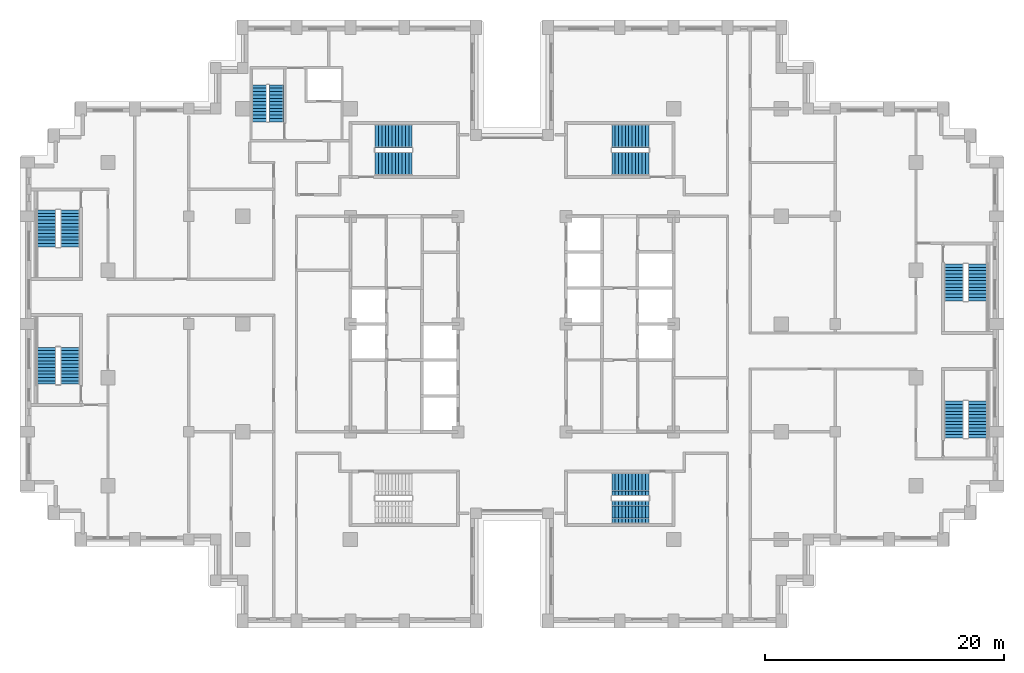
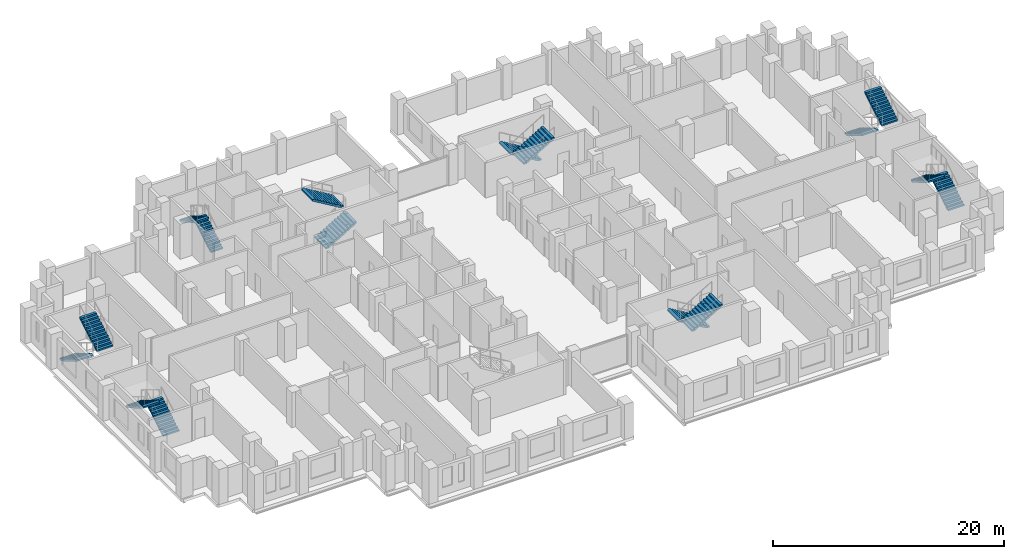
# One storey, part 13 of 15: 16 stair flights, 8 elements without a shape of their own.
"""IFC4 building model written with IfcOpenShell, lengths in metres."""

from ifc_helpers import new_model, si_unit, direction, frame, origin, place, context, subcontext, project, spatial, polyline, outline, extrude, material, type_object, element, aggregate, save


model = new_model("IFC4")

# Units and contexts
model_context = context("Model", 3, precision=1e-05, world=origin(), true_north=direction((0.0, 1.0)))
body_context = subcontext(model_context, "Body", "Model", "MODEL_VIEW")
ifc_project = project(units=[si_unit("LENGTHUNIT", "METRE"), si_unit("AREAUNIT", "SQUARE_METRE"), si_unit("VOLUMEUNIT", "CUBIC_METRE"), si_unit("PLANEANGLEUNIT", "RADIAN"), si_unit("MASSUNIT", "GRAM", prefix="KILO")], contexts=[model_context])

# Site, building, storey
site_placement = place(None, origin())
site = spatial("IfcSite", under=ifc_project, at=site_placement, CompositionType="ELEMENT")
building_placement = place(site_placement, origin())
building = spatial("IfcBuilding", under=site, at=building_placement, Name="Corbelhall Arena Tower", CompositionType="ELEMENT")
storey_placement = place(building_placement, frame((0.0, 0.0, 96.0)))
storey = spatial("IfcBuildingStorey", under=building, at=storey_placement, Name="L16", CompositionType="ELEMENT", Elevation=96.0)

# Stair, stair flights
ifc_material = material(Name="Concrete C40/50", Category="concrete")
stair_type = type_object("IfcStairType", Name="IN-ST-TOWER", PredefinedType="HALF_TURN_STAIR", material=ifc_material)
stair_1_placement = place(storey_placement, origin())
stair_1 = element("IfcStair", 1, at=stair_1_placement, inside=storey, type_object=stair_type, Name="L16 Exit stair ST1", PredefinedType="HALF_TURN_STAIR")
stair_flight_type = type_object("IfcStairFlightType", Name="IN-SFL-RC", PredefinedType="STRAIGHT", material=ifc_material)
stair_flight_1_placement = place(storey_placement, frame((-11.425048828125, 13.39990234375, 0.0), z_axis=(0.0, 0.0, 1.0), x_axis=(1.0, 0.0, 0.0)))
stair_flight_1 = element("IfcStairFlight", 2, at=stair_flight_1_placement, type_object=stair_flight_type, Name="ST1 flight 1", NumberOfRisers=12, NumberOfTreads=11, PredefinedType="STRAIGHT", RiserHeight=0.166666667, TreadLength=0.28, context=body_context, shape_type="SweptSolid", body=[
    extrude(outline(polyline([(0.0, 0.0), (0.0, 0.166748046875), (0.280029296875, 0.166748046875), (0.280029296875, 0.333251953125), (0.56005859375, 0.333251953125), (0.56005859375, 0.5), (0.840087890625, 0.5), (0.840087890625, 0.666748046875), (1.1201171875, 0.666748046875), (1.1201171875, 0.833251953125), (1.39990234375, 0.833251953125), (1.39990234375, 1.0), (1.679931640625, 1.0), (1.679931640625, 1.166748046875), (1.9599609375, 1.166748046875), (1.9599609375, 1.333251953125), (2.239990234375, 1.333251953125), (2.239990234375, 1.5), (2.52001953125, 1.5), (2.52001953125, 1.666748046875), (2.800048828125, 1.666748046875), (2.800048828125, 1.833251953125), (3.080078125, 1.833251953125), (3.080078125, 2.0), (3.080078125, 1.658935546875), (0.29296875, 0.0), (0.0, 0.0)])), frame((0.0, 0.97509765625, 0.0), z_axis=(0.0, -1.0, 0.0), x_axis=(1.0, 0.0, 0.0)), (0.0, 0.0, 1.0), 0.449951171875),
    extrude(outline(polyline([(0.0, 0.0), (0.0, 0.166748046875), (0.280029296875, 0.166748046875), (0.280029296875, 0.333251953125), (0.56005859375, 0.333251953125), (0.56005859375, 0.5), (0.840087890625, 0.5), (0.840087890625, 0.666748046875), (1.1201171875, 0.666748046875), (1.1201171875, 0.833251953125), (1.39990234375, 0.833251953125), (1.39990234375, 1.0), (1.679931640625, 1.0), (1.679931640625, 1.166748046875), (1.9599609375, 1.166748046875), (1.9599609375, 1.333251953125), (2.239990234375, 1.333251953125), (2.239990234375, 1.5), (2.52001953125, 1.5), (2.52001953125, 1.666748046875), (2.800048828125, 1.666748046875), (2.800048828125, 1.833251953125), (3.080078125, 1.833251953125), (3.080078125, 2.0), (3.080078125, 1.658935546875), (0.29296875, 0.0), (0.0, 0.0)])), frame((0.0, 0.52099609375, 0.0), z_axis=(0.0, -1.0, 0.0), x_axis=(1.0, 0.0, 0.0)), (0.0, 0.0, 1.0), 1.0419921875),
    extrude(outline(polyline([(0.0, 0.0), (0.0, 0.166748046875), (0.280029296875, 0.166748046875), (0.280029296875, 0.333251953125), (0.56005859375, 0.333251953125), (0.56005859375, 0.5), (0.840087890625, 0.5), (0.840087890625, 0.666748046875), (1.1201171875, 0.666748046875), (1.1201171875, 0.833251953125), (1.39990234375, 0.833251953125), (1.39990234375, 1.0), (1.679931640625, 1.0), (1.679931640625, 1.166748046875), (1.9599609375, 1.166748046875), (1.9599609375, 1.333251953125), (2.239990234375, 1.333251953125), (2.239990234375, 1.5), (2.52001953125, 1.5), (2.52001953125, 1.666748046875), (2.800048828125, 1.666748046875), (2.800048828125, 1.833251953125), (3.080078125, 1.833251953125), (3.080078125, 2.0), (3.080078125, 1.658935546875), (0.29296875, 0.0), (0.0, 0.0)])), frame((0.0, -0.52490234375, 0.0), z_axis=(0.0, -1.0, 0.0), x_axis=(1.0, 0.0, 0.0)), (0.0, 0.0, 1.0), 0.449951171875),
])
stair_flight_2_placement = place(storey_placement, frame((-8.344970703125, 15.699951171875, 2.0), z_axis=(0.0, 0.0, 1.0), x_axis=(-1.0, 0.0, 0.0)))
stair_flight_2 = element("IfcStairFlight", 3, at=stair_flight_2_placement, type_object=stair_flight_type, Name="ST1 flight 2", NumberOfRisers=12, NumberOfTreads=11, PredefinedType="STRAIGHT", RiserHeight=0.166666667, TreadLength=0.28, context=body_context, shape_type="SweptSolid", body=[
    extrude(outline(polyline([(0.0, 0.0), (0.0, 0.166748046875), (0.280029296875, 0.166748046875), (0.280029296875, 0.333251953125), (0.56005859375, 0.333251953125), (0.56005859375, 0.5), (0.840087890625, 0.5), (0.840087890625, 0.666748046875), (1.1201171875, 0.666748046875), (1.1201171875, 0.833251953125), (1.39990234375, 0.833251953125), (1.39990234375, 1.0), (1.679931640625, 1.0), (1.679931640625, 1.166748046875), (1.9599609375, 1.166748046875), (1.9599609375, 1.333251953125), (2.239990234375, 1.333251953125), (2.239990234375, 1.5), (2.52001953125, 1.5), (2.52001953125, 1.666748046875), (2.800048828125, 1.666748046875), (2.800048828125, 1.833251953125), (3.080078125, 1.833251953125), (3.080078125, 2.0), (3.080078125, 1.658935546875), (0.29296875, 0.0), (0.0, 0.0)])), frame((0.0, 0.97509765625, 0.0), z_axis=(0.0, -1.0, 0.0), x_axis=(1.0, 0.0, 0.0)), (0.0, 0.0, 1.0), 0.449951171875),
    extrude(outline(polyline([(0.0, 0.0), (0.0, 0.166748046875), (0.280029296875, 0.166748046875), (0.280029296875, 0.333251953125), (0.56005859375, 0.333251953125), (0.56005859375, 0.5), (0.840087890625, 0.5), (0.840087890625, 0.666748046875), (1.1201171875, 0.666748046875), (1.1201171875, 0.833251953125), (1.39990234375, 0.833251953125), (1.39990234375, 1.0), (1.679931640625, 1.0), (1.679931640625, 1.166748046875), (1.9599609375, 1.166748046875), (1.9599609375, 1.333251953125), (2.239990234375, 1.333251953125), (2.239990234375, 1.5), (2.52001953125, 1.5), (2.52001953125, 1.666748046875), (2.800048828125, 1.666748046875), (2.800048828125, 1.833251953125), (3.080078125, 1.833251953125), (3.080078125, 2.0), (3.080078125, 1.658935546875), (0.29296875, 0.0), (0.0, 0.0)])), frame((0.0, 0.52099609375, 0.0), z_axis=(0.0, -1.0, 0.0), x_axis=(1.0, 0.0, 0.0)), (0.0, 0.0, 1.0), 1.0419921875),
    extrude(outline(polyline([(0.0, 0.0), (0.0, 0.166748046875), (0.280029296875, 0.166748046875), (0.280029296875, 0.333251953125), (0.56005859375, 0.333251953125), (0.56005859375, 0.5), (0.840087890625, 0.5), (0.840087890625, 0.666748046875), (1.1201171875, 0.666748046875), (1.1201171875, 0.833251953125), (1.39990234375, 0.833251953125), (1.39990234375, 1.0), (1.679931640625, 1.0), (1.679931640625, 1.166748046875), (1.9599609375, 1.166748046875), (1.9599609375, 1.333251953125), (2.239990234375, 1.333251953125), (2.239990234375, 1.5), (2.52001953125, 1.5), (2.52001953125, 1.666748046875), (2.800048828125, 1.666748046875), (2.800048828125, 1.833251953125), (3.080078125, 1.833251953125), (3.080078125, 2.0), (3.080078125, 1.658935546875), (0.29296875, 0.0), (0.0, 0.0)])), frame((0.0, -0.52490234375, 0.0), z_axis=(0.0, -1.0, 0.0), x_axis=(1.0, 0.0, 0.0)), (0.0, 0.0, 1.0), 0.449951171875),
])
aggregate(stair_1, [stair_flight_1, stair_flight_2])

stair_2_placement = place(storey_placement, origin())
stair_2 = element("IfcStair", 4, at=stair_2_placement, inside=storey, type_object=stair_type, Name="L16 Exit stair ST3", PredefinedType="HALF_TURN_STAIR")
stair_flight_3_placement = place(storey_placement, frame((11.425048828125, 15.699951171875, 0.0), z_axis=(0.0, 0.0, 1.0), x_axis=(-1.0, 0.0, 0.0)))
stair_flight_3 = element("IfcStairFlight", 5, at=stair_flight_3_placement, type_object=stair_flight_type, Name="ST3 flight 1", NumberOfRisers=12, NumberOfTreads=11, PredefinedType="STRAIGHT", RiserHeight=0.166666667, TreadLength=0.28, context=body_context, shape_type="SweptSolid", body=[
    extrude(outline(polyline([(0.0, 0.0), (0.0, 0.166748046875), (0.280029296875, 0.166748046875), (0.280029296875, 0.333251953125), (0.56005859375, 0.333251953125), (0.56005859375, 0.5), (0.840087890625, 0.5), (0.840087890625, 0.666748046875), (1.1201171875, 0.666748046875), (1.1201171875, 0.833251953125), (1.39990234375, 0.833251953125), (1.39990234375, 1.0), (1.679931640625, 1.0), (1.679931640625, 1.166748046875), (1.9599609375, 1.166748046875), (1.9599609375, 1.333251953125), (2.239990234375, 1.333251953125), (2.239990234375, 1.5), (2.52001953125, 1.5), (2.52001953125, 1.666748046875), (2.800048828125, 1.666748046875), (2.800048828125, 1.833251953125), (3.080078125, 1.833251953125), (3.080078125, 2.0), (3.080078125, 1.658935546875), (0.29296875, 0.0), (0.0, 0.0)])), frame((0.0, 0.97509765625, 0.0), z_axis=(0.0, -1.0, 0.0), x_axis=(1.0, 0.0, 0.0)), (0.0, 0.0, 1.0), 0.449951171875),
    extrude(outline(polyline([(0.0, 0.0), (0.0, 0.166748046875), (0.280029296875, 0.166748046875), (0.280029296875, 0.333251953125), (0.56005859375, 0.333251953125), (0.56005859375, 0.5), (0.840087890625, 0.5), (0.840087890625, 0.666748046875), (1.1201171875, 0.666748046875), (1.1201171875, 0.833251953125), (1.39990234375, 0.833251953125), (1.39990234375, 1.0), (1.679931640625, 1.0), (1.679931640625, 1.166748046875), (1.9599609375, 1.166748046875), (1.9599609375, 1.333251953125), (2.239990234375, 1.333251953125), (2.239990234375, 1.5), (2.52001953125, 1.5), (2.52001953125, 1.666748046875), (2.800048828125, 1.666748046875), (2.800048828125, 1.833251953125), (3.080078125, 1.833251953125), (3.080078125, 2.0), (3.080078125, 1.658935546875), (0.29296875, 0.0), (0.0, 0.0)])), frame((0.0, 0.52099609375, 0.0), z_axis=(0.0, -1.0, 0.0), x_axis=(1.0, 0.0, 0.0)), (0.0, 0.0, 1.0), 1.0419921875),
    extrude(outline(polyline([(0.0, 0.0), (0.0, 0.166748046875), (0.280029296875, 0.166748046875), (0.280029296875, 0.333251953125), (0.56005859375, 0.333251953125), (0.56005859375, 0.5), (0.840087890625, 0.5), (0.840087890625, 0.666748046875), (1.1201171875, 0.666748046875), (1.1201171875, 0.833251953125), (1.39990234375, 0.833251953125), (1.39990234375, 1.0), (1.679931640625, 1.0), (1.679931640625, 1.166748046875), (1.9599609375, 1.166748046875), (1.9599609375, 1.333251953125), (2.239990234375, 1.333251953125), (2.239990234375, 1.5), (2.52001953125, 1.5), (2.52001953125, 1.666748046875), (2.800048828125, 1.666748046875), (2.800048828125, 1.833251953125), (3.080078125, 1.833251953125), (3.080078125, 2.0), (3.080078125, 1.658935546875), (0.29296875, 0.0), (0.0, 0.0)])), frame((0.0, -0.52490234375, 0.0), z_axis=(0.0, -1.0, 0.0), x_axis=(1.0, 0.0, 0.0)), (0.0, 0.0, 1.0), 0.449951171875),
])
stair_flight_4_placement = place(storey_placement, frame((8.344970703125, 13.39990234375, 2.0), z_axis=(0.0, 0.0, 1.0), x_axis=(1.0, 0.0, 0.0)))
stair_flight_4 = element("IfcStairFlight", 6, at=stair_flight_4_placement, type_object=stair_flight_type, Name="ST3 flight 2", NumberOfRisers=12, NumberOfTreads=11, PredefinedType="STRAIGHT", RiserHeight=0.166666667, TreadLength=0.28, context=body_context, shape_type="SweptSolid", body=[
    extrude(outline(polyline([(0.0, 0.0), (0.0, 0.166748046875), (0.280029296875, 0.166748046875), (0.280029296875, 0.333251953125), (0.56005859375, 0.333251953125), (0.56005859375, 0.5), (0.840087890625, 0.5), (0.840087890625, 0.666748046875), (1.1201171875, 0.666748046875), (1.1201171875, 0.833251953125), (1.39990234375, 0.833251953125), (1.39990234375, 1.0), (1.679931640625, 1.0), (1.679931640625, 1.166748046875), (1.9599609375, 1.166748046875), (1.9599609375, 1.333251953125), (2.239990234375, 1.333251953125), (2.239990234375, 1.5), (2.52001953125, 1.5), (2.52001953125, 1.666748046875), (2.800048828125, 1.666748046875), (2.800048828125, 1.833251953125), (3.080078125, 1.833251953125), (3.080078125, 2.0), (3.080078125, 1.658935546875), (0.29296875, 0.0), (0.0, 0.0)])), frame((0.0, 0.97509765625, 0.0), z_axis=(0.0, -1.0, 0.0), x_axis=(1.0, 0.0, 0.0)), (0.0, 0.0, 1.0), 0.449951171875),
    extrude(outline(polyline([(0.0, 0.0), (0.0, 0.166748046875), (0.280029296875, 0.166748046875), (0.280029296875, 0.333251953125), (0.56005859375, 0.333251953125), (0.56005859375, 0.5), (0.840087890625, 0.5), (0.840087890625, 0.666748046875), (1.1201171875, 0.666748046875), (1.1201171875, 0.833251953125), (1.39990234375, 0.833251953125), (1.39990234375, 1.0), (1.679931640625, 1.0), (1.679931640625, 1.166748046875), (1.9599609375, 1.166748046875), (1.9599609375, 1.333251953125), (2.239990234375, 1.333251953125), (2.239990234375, 1.5), (2.52001953125, 1.5), (2.52001953125, 1.666748046875), (2.800048828125, 1.666748046875), (2.800048828125, 1.833251953125), (3.080078125, 1.833251953125), (3.080078125, 2.0), (3.080078125, 1.658935546875), (0.29296875, 0.0), (0.0, 0.0)])), frame((0.0, 0.52099609375, 0.0), z_axis=(0.0, -1.0, 0.0), x_axis=(1.0, 0.0, 0.0)), (0.0, 0.0, 1.0), 1.0419921875),
    extrude(outline(polyline([(0.0, 0.0), (0.0, 0.166748046875), (0.280029296875, 0.166748046875), (0.280029296875, 0.333251953125), (0.56005859375, 0.333251953125), (0.56005859375, 0.5), (0.840087890625, 0.5), (0.840087890625, 0.666748046875), (1.1201171875, 0.666748046875), (1.1201171875, 0.833251953125), (1.39990234375, 0.833251953125), (1.39990234375, 1.0), (1.679931640625, 1.0), (1.679931640625, 1.166748046875), (1.9599609375, 1.166748046875), (1.9599609375, 1.333251953125), (2.239990234375, 1.333251953125), (2.239990234375, 1.5), (2.52001953125, 1.5), (2.52001953125, 1.666748046875), (2.800048828125, 1.666748046875), (2.800048828125, 1.833251953125), (3.080078125, 1.833251953125), (3.080078125, 2.0), (3.080078125, 1.658935546875), (0.29296875, 0.0), (0.0, 0.0)])), frame((0.0, -0.52490234375, 0.0), z_axis=(0.0, -1.0, 0.0), x_axis=(1.0, 0.0, 0.0)), (0.0, 0.0, 1.0), 0.449951171875),
])
aggregate(stair_2, [stair_flight_3, stair_flight_4])

stair_3_placement = place(storey_placement, origin())
stair_3 = element("IfcStair", 7, at=stair_3_placement, inside=storey, type_object=stair_type, Name="L16 Exit stair ST4", PredefinedType="HALF_TURN_STAIR")
stair_flight_5_placement = place(storey_placement, frame((11.425048828125, -13.39990234375, 0.0), z_axis=(0.0, 0.0, 1.0), x_axis=(-1.0, 0.0, 0.0)))
stair_flight_5 = element("IfcStairFlight", 8, at=stair_flight_5_placement, type_object=stair_flight_type, Name="ST4 flight 1", NumberOfRisers=12, NumberOfTreads=11, PredefinedType="STRAIGHT", RiserHeight=0.166666667, TreadLength=0.28, context=body_context, shape_type="SweptSolid", body=[
    extrude(outline(polyline([(0.0, 0.0), (0.0, 0.166748046875), (0.280029296875, 0.166748046875), (0.280029296875, 0.333251953125), (0.56005859375, 0.333251953125), (0.56005859375, 0.5), (0.840087890625, 0.5), (0.840087890625, 0.666748046875), (1.1201171875, 0.666748046875), (1.1201171875, 0.833251953125), (1.39990234375, 0.833251953125), (1.39990234375, 1.0), (1.679931640625, 1.0), (1.679931640625, 1.166748046875), (1.9599609375, 1.166748046875), (1.9599609375, 1.333251953125), (2.239990234375, 1.333251953125), (2.239990234375, 1.5), (2.52001953125, 1.5), (2.52001953125, 1.666748046875), (2.800048828125, 1.666748046875), (2.800048828125, 1.833251953125), (3.080078125, 1.833251953125), (3.080078125, 2.0), (3.080078125, 1.658935546875), (0.29296875, 0.0), (0.0, 0.0)])), frame((0.0, 0.97509765625, 0.0), z_axis=(0.0, -1.0, 0.0), x_axis=(1.0, 0.0, 0.0)), (0.0, 0.0, 1.0), 0.449951171875),
    extrude(outline(polyline([(0.0, 0.0), (0.0, 0.166748046875), (0.280029296875, 0.166748046875), (0.280029296875, 0.333251953125), (0.56005859375, 0.333251953125), (0.56005859375, 0.5), (0.840087890625, 0.5), (0.840087890625, 0.666748046875), (1.1201171875, 0.666748046875), (1.1201171875, 0.833251953125), (1.39990234375, 0.833251953125), (1.39990234375, 1.0), (1.679931640625, 1.0), (1.679931640625, 1.166748046875), (1.9599609375, 1.166748046875), (1.9599609375, 1.333251953125), (2.239990234375, 1.333251953125), (2.239990234375, 1.5), (2.52001953125, 1.5), (2.52001953125, 1.666748046875), (2.800048828125, 1.666748046875), (2.800048828125, 1.833251953125), (3.080078125, 1.833251953125), (3.080078125, 2.0), (3.080078125, 1.658935546875), (0.29296875, 0.0), (0.0, 0.0)])), frame((0.0, 0.52099609375, 0.0), z_axis=(0.0, -1.0, 0.0), x_axis=(1.0, 0.0, 0.0)), (0.0, 0.0, 1.0), 1.0419921875),
    extrude(outline(polyline([(0.0, 0.0), (0.0, 0.166748046875), (0.280029296875, 0.166748046875), (0.280029296875, 0.333251953125), (0.56005859375, 0.333251953125), (0.56005859375, 0.5), (0.840087890625, 0.5), (0.840087890625, 0.666748046875), (1.1201171875, 0.666748046875), (1.1201171875, 0.833251953125), (1.39990234375, 0.833251953125), (1.39990234375, 1.0), (1.679931640625, 1.0), (1.679931640625, 1.166748046875), (1.9599609375, 1.166748046875), (1.9599609375, 1.333251953125), (2.239990234375, 1.333251953125), (2.239990234375, 1.5), (2.52001953125, 1.5), (2.52001953125, 1.666748046875), (2.800048828125, 1.666748046875), (2.800048828125, 1.833251953125), (3.080078125, 1.833251953125), (3.080078125, 2.0), (3.080078125, 1.658935546875), (0.29296875, 0.0), (0.0, 0.0)])), frame((0.0, -0.52490234375, 0.0), z_axis=(0.0, -1.0, 0.0), x_axis=(1.0, 0.0, 0.0)), (0.0, 0.0, 1.0), 0.449951171875),
])
stair_flight_6_placement = place(storey_placement, frame((8.344970703125, -15.699951171875, 2.0), z_axis=(0.0, 0.0, 1.0), x_axis=(1.0, 0.0, 0.0)))
stair_flight_6 = element("IfcStairFlight", 9, at=stair_flight_6_placement, type_object=stair_flight_type, Name="ST4 flight 2", NumberOfRisers=12, NumberOfTreads=11, PredefinedType="STRAIGHT", RiserHeight=0.166666667, TreadLength=0.28, context=body_context, shape_type="SweptSolid", body=[
    extrude(outline(polyline([(0.0, 0.0), (0.0, 0.166748046875), (0.280029296875, 0.166748046875), (0.280029296875, 0.333251953125), (0.56005859375, 0.333251953125), (0.56005859375, 0.5), (0.840087890625, 0.5), (0.840087890625, 0.666748046875), (1.1201171875, 0.666748046875), (1.1201171875, 0.833251953125), (1.39990234375, 0.833251953125), (1.39990234375, 1.0), (1.679931640625, 1.0), (1.679931640625, 1.166748046875), (1.9599609375, 1.166748046875), (1.9599609375, 1.333251953125), (2.239990234375, 1.333251953125), (2.239990234375, 1.5), (2.52001953125, 1.5), (2.52001953125, 1.666748046875), (2.800048828125, 1.666748046875), (2.800048828125, 1.833251953125), (3.080078125, 1.833251953125), (3.080078125, 2.0), (3.080078125, 1.658935546875), (0.29296875, 0.0), (0.0, 0.0)])), frame((0.0, 0.97509765625, 0.0), z_axis=(0.0, -1.0, 0.0), x_axis=(1.0, 0.0, 0.0)), (0.0, 0.0, 1.0), 0.449951171875),
    extrude(outline(polyline([(0.0, 0.0), (0.0, 0.166748046875), (0.280029296875, 0.166748046875), (0.280029296875, 0.333251953125), (0.56005859375, 0.333251953125), (0.56005859375, 0.5), (0.840087890625, 0.5), (0.840087890625, 0.666748046875), (1.1201171875, 0.666748046875), (1.1201171875, 0.833251953125), (1.39990234375, 0.833251953125), (1.39990234375, 1.0), (1.679931640625, 1.0), (1.679931640625, 1.166748046875), (1.9599609375, 1.166748046875), (1.9599609375, 1.333251953125), (2.239990234375, 1.333251953125), (2.239990234375, 1.5), (2.52001953125, 1.5), (2.52001953125, 1.666748046875), (2.800048828125, 1.666748046875), (2.800048828125, 1.833251953125), (3.080078125, 1.833251953125), (3.080078125, 2.0), (3.080078125, 1.658935546875), (0.29296875, 0.0), (0.0, 0.0)])), frame((0.0, 0.52099609375, 0.0), z_axis=(0.0, -1.0, 0.0), x_axis=(1.0, 0.0, 0.0)), (0.0, 0.0, 1.0), 1.0419921875),
    extrude(outline(polyline([(0.0, 0.0), (0.0, 0.166748046875), (0.280029296875, 0.166748046875), (0.280029296875, 0.333251953125), (0.56005859375, 0.333251953125), (0.56005859375, 0.5), (0.840087890625, 0.5), (0.840087890625, 0.666748046875), (1.1201171875, 0.666748046875), (1.1201171875, 0.833251953125), (1.39990234375, 0.833251953125), (1.39990234375, 1.0), (1.679931640625, 1.0), (1.679931640625, 1.166748046875), (1.9599609375, 1.166748046875), (1.9599609375, 1.333251953125), (2.239990234375, 1.333251953125), (2.239990234375, 1.5), (2.52001953125, 1.5), (2.52001953125, 1.666748046875), (2.800048828125, 1.666748046875), (2.800048828125, 1.833251953125), (3.080078125, 1.833251953125), (3.080078125, 2.0), (3.080078125, 1.658935546875), (0.29296875, 0.0), (0.0, 0.0)])), frame((0.0, -0.52490234375, 0.0), z_axis=(0.0, -1.0, 0.0), x_axis=(1.0, 0.0, 0.0)), (0.0, 0.0, 1.0), 0.449951171875),
])
aggregate(stair_3, [stair_flight_5, stair_flight_6])

stair_4_placement = place(storey_placement, origin())
stair_4 = element("IfcStair", 10, at=stair_4_placement, inside=storey, type_object=stair_type, Name="L16 Exit stair SC1", PredefinedType="HALF_TURN_STAIR")
stair_flight_7_placement = place(storey_placement, frame((-38.89990234375, 9.52490234375, 0.0), z_axis=(0.0, 0.0, 1.0), x_axis=(0.0, -1.0, 0.0)))
stair_flight_7 = element("IfcStairFlight", 11, at=stair_flight_7_placement, type_object=stair_flight_type, Name="SC1 flight 1", NumberOfRisers=12, NumberOfTreads=11, PredefinedType="STRAIGHT", RiserHeight=0.166666667, TreadLength=0.28, context=body_context, shape_type="SweptSolid", body=[
    extrude(outline(polyline([(0.0, 0.0), (0.0, 0.166748046875), (0.280029296875, 0.166748046875), (0.280029296875, 0.333251953125), (0.56005859375, 0.333251953125), (0.56005859375, 0.5), (0.840087890625, 0.5), (0.840087890625, 0.666748046875), (1.1201171875, 0.666748046875), (1.1201171875, 0.833251953125), (1.39990234375, 0.833251953125), (1.39990234375, 1.0), (1.679931640625, 1.0), (1.679931640625, 1.166748046875), (1.9599609375, 1.166748046875), (1.9599609375, 1.333251953125), (2.239990234375, 1.333251953125), (2.239990234375, 1.5), (2.52001953125, 1.5), (2.52001953125, 1.666748046875), (2.800048828125, 1.666748046875), (2.800048828125, 1.833251953125), (3.080078125, 1.833251953125), (3.080078125, 2.0), (3.080078125, 1.658935546875), (0.29296875, 0.0), (0.0, 0.0)])), frame((0.0, 0.800048828125, 0.0), z_axis=(0.0, -1.0, 0.0), x_axis=(1.0, 0.0, 0.0)), (0.0, 0.0, 1.0), 1.60009765625),
])
stair_flight_8_placement = place(storey_placement, frame((-36.925048828125, 6.445068359375, 2.0), z_axis=(0.0, 0.0, 1.0), x_axis=(0.0, 1.0, 0.0)))
stair_flight_8 = element("IfcStairFlight", 12, at=stair_flight_8_placement, type_object=stair_flight_type, Name="SC1 flight 2", NumberOfRisers=12, NumberOfTreads=11, PredefinedType="STRAIGHT", RiserHeight=0.166666667, TreadLength=0.28, context=body_context, shape_type="SweptSolid", body=[
    extrude(outline(polyline([(0.0, 0.0), (0.0, 0.166748046875), (0.280029296875, 0.166748046875), (0.280029296875, 0.333251953125), (0.56005859375, 0.333251953125), (0.56005859375, 0.5), (0.840087890625, 0.5), (0.840087890625, 0.666748046875), (1.1201171875, 0.666748046875), (1.1201171875, 0.833251953125), (1.39990234375, 0.833251953125), (1.39990234375, 1.0), (1.679931640625, 1.0), (1.679931640625, 1.166748046875), (1.9599609375, 1.166748046875), (1.9599609375, 1.333251953125), (2.239990234375, 1.333251953125), (2.239990234375, 1.5), (2.52001953125, 1.5), (2.52001953125, 1.666748046875), (2.800048828125, 1.666748046875), (2.800048828125, 1.833251953125), (3.080078125, 1.833251953125), (3.080078125, 2.0), (3.080078125, 1.658935546875), (0.29296875, 0.0), (0.0, 0.0)])), frame((0.0, 0.800048828125, 0.0), z_axis=(0.0, -1.0, 0.0), x_axis=(1.0, 0.0, 0.0)), (0.0, 0.0, 1.0), 1.60009765625),
])
aggregate(stair_4, [stair_flight_7, stair_flight_8])

stair_5_placement = place(storey_placement, origin())
stair_5 = element("IfcStair", 13, at=stair_5_placement, inside=storey, type_object=stair_type, Name="L16 Exit stair SC2", PredefinedType="HALF_TURN_STAIR")
stair_flight_9_placement = place(storey_placement, frame((-36.925048828125, -5.02490234375, 0.0), z_axis=(0.0, 0.0, 1.0), x_axis=(0.0, 1.0, 0.0)))
stair_flight_9 = element("IfcStairFlight", 14, at=stair_flight_9_placement, type_object=stair_flight_type, Name="SC2 flight 1", NumberOfRisers=12, NumberOfTreads=11, PredefinedType="STRAIGHT", RiserHeight=0.166666667, TreadLength=0.28, context=body_context, shape_type="SweptSolid", body=[
    extrude(outline(polyline([(0.0, 0.0), (0.0, 0.166748046875), (0.280029296875, 0.166748046875), (0.280029296875, 0.333251953125), (0.56005859375, 0.333251953125), (0.56005859375, 0.5), (0.840087890625, 0.5), (0.840087890625, 0.666748046875), (1.1201171875, 0.666748046875), (1.1201171875, 0.833251953125), (1.39990234375, 0.833251953125), (1.39990234375, 1.0), (1.679931640625, 1.0), (1.679931640625, 1.166748046875), (1.9599609375, 1.166748046875), (1.9599609375, 1.333251953125), (2.239990234375, 1.333251953125), (2.239990234375, 1.5), (2.52001953125, 1.5), (2.52001953125, 1.666748046875), (2.800048828125, 1.666748046875), (2.800048828125, 1.833251953125), (3.080078125, 1.833251953125), (3.080078125, 2.0), (3.080078125, 1.658935546875), (0.29296875, 0.0), (0.0, 0.0)])), frame((0.0, 0.800048828125, 0.0), z_axis=(0.0, -1.0, 0.0), x_axis=(1.0, 0.0, 0.0)), (0.0, 0.0, 1.0), 1.60009765625),
])
stair_flight_10_placement = place(storey_placement, frame((-38.89990234375, -1.945068359375, 2.0), z_axis=(0.0, 0.0, 1.0), x_axis=(0.0, -1.0, 0.0)))
stair_flight_10 = element("IfcStairFlight", 15, at=stair_flight_10_placement, type_object=stair_flight_type, Name="SC2 flight 2", NumberOfRisers=12, NumberOfTreads=11, PredefinedType="STRAIGHT", RiserHeight=0.166666667, TreadLength=0.28, context=body_context, shape_type="SweptSolid", body=[
    extrude(outline(polyline([(0.0, 0.0), (0.0, 0.166748046875), (0.280029296875, 0.166748046875), (0.280029296875, 0.333251953125), (0.56005859375, 0.333251953125), (0.56005859375, 0.5), (0.840087890625, 0.5), (0.840087890625, 0.666748046875), (1.1201171875, 0.666748046875), (1.1201171875, 0.833251953125), (1.39990234375, 0.833251953125), (1.39990234375, 1.0), (1.679931640625, 1.0), (1.679931640625, 1.166748046875), (1.9599609375, 1.166748046875), (1.9599609375, 1.333251953125), (2.239990234375, 1.333251953125), (2.239990234375, 1.5), (2.52001953125, 1.5), (2.52001953125, 1.666748046875), (2.800048828125, 1.666748046875), (2.800048828125, 1.833251953125), (3.080078125, 1.833251953125), (3.080078125, 2.0), (3.080078125, 1.658935546875), (0.29296875, 0.0), (0.0, 0.0)])), frame((0.0, 0.800048828125, 0.0), z_axis=(0.0, -1.0, 0.0), x_axis=(1.0, 0.0, 0.0)), (0.0, 0.0, 1.0), 1.60009765625),
])
aggregate(stair_5, [stair_flight_9, stair_flight_10])

stair_6_placement = place(storey_placement, origin())
stair_6 = element("IfcStair", 16, at=stair_6_placement, inside=storey, type_object=stair_type, Name="L16 Exit stair SD1", PredefinedType="HALF_TURN_STAIR")
stair_flight_11_placement = place(storey_placement, frame((38.89990234375, -9.52490234375, 0.0), z_axis=(0.0, 0.0, 1.0), x_axis=(0.0, 1.0, 0.0)))
stair_flight_11 = element("IfcStairFlight", 17, at=stair_flight_11_placement, type_object=stair_flight_type, Name="SD1 flight 1", NumberOfRisers=12, NumberOfTreads=11, PredefinedType="STRAIGHT", RiserHeight=0.166666667, TreadLength=0.28, context=body_context, shape_type="SweptSolid", body=[
    extrude(outline(polyline([(0.0, 0.0), (0.0, 0.166748046875), (0.280029296875, 0.166748046875), (0.280029296875, 0.333251953125), (0.56005859375, 0.333251953125), (0.56005859375, 0.5), (0.840087890625, 0.5), (0.840087890625, 0.666748046875), (1.1201171875, 0.666748046875), (1.1201171875, 0.833251953125), (1.39990234375, 0.833251953125), (1.39990234375, 1.0), (1.679931640625, 1.0), (1.679931640625, 1.166748046875), (1.9599609375, 1.166748046875), (1.9599609375, 1.333251953125), (2.239990234375, 1.333251953125), (2.239990234375, 1.5), (2.52001953125, 1.5), (2.52001953125, 1.666748046875), (2.800048828125, 1.666748046875), (2.800048828125, 1.833251953125), (3.080078125, 1.833251953125), (3.080078125, 2.0), (3.080078125, 1.658935546875), (0.29296875, 0.0), (0.0, 0.0)])), frame((0.0, 0.800048828125, 0.0), z_axis=(0.0, -1.0, 0.0), x_axis=(1.0, 0.0, 0.0)), (0.0, 0.0, 1.0), 1.60009765625),
])
stair_flight_12_placement = place(storey_placement, frame((36.925048828125, -6.445068359375, 2.0), z_axis=(0.0, 0.0, 1.0), x_axis=(0.0, -1.0, 0.0)))
stair_flight_12 = element("IfcStairFlight", 18, at=stair_flight_12_placement, type_object=stair_flight_type, Name="SD1 flight 2", NumberOfRisers=12, NumberOfTreads=11, PredefinedType="STRAIGHT", RiserHeight=0.166666667, TreadLength=0.28, context=body_context, shape_type="SweptSolid", body=[
    extrude(outline(polyline([(0.0, 0.0), (0.0, 0.166748046875), (0.280029296875, 0.166748046875), (0.280029296875, 0.333251953125), (0.56005859375, 0.333251953125), (0.56005859375, 0.5), (0.840087890625, 0.5), (0.840087890625, 0.666748046875), (1.1201171875, 0.666748046875), (1.1201171875, 0.833251953125), (1.39990234375, 0.833251953125), (1.39990234375, 1.0), (1.679931640625, 1.0), (1.679931640625, 1.166748046875), (1.9599609375, 1.166748046875), (1.9599609375, 1.333251953125), (2.239990234375, 1.333251953125), (2.239990234375, 1.5), (2.52001953125, 1.5), (2.52001953125, 1.666748046875), (2.800048828125, 1.666748046875), (2.800048828125, 1.833251953125), (3.080078125, 1.833251953125), (3.080078125, 2.0), (3.080078125, 1.658935546875), (0.29296875, 0.0), (0.0, 0.0)])), frame((0.0, 0.800048828125, 0.0), z_axis=(0.0, -1.0, 0.0), x_axis=(1.0, 0.0, 0.0)), (0.0, 0.0, 1.0), 1.60009765625),
])
aggregate(stair_6, [stair_flight_11, stair_flight_12])

stair_7_placement = place(storey_placement, origin())
stair_7 = element("IfcStair", 19, at=stair_7_placement, inside=storey, type_object=stair_type, Name="L16 Exit stair SD2", PredefinedType="HALF_TURN_STAIR")
stair_flight_13_placement = place(storey_placement, frame((36.925048828125, 5.02490234375, 0.0), z_axis=(0.0, 0.0, 1.0), x_axis=(0.0, -1.0, 0.0)))
stair_flight_13 = element("IfcStairFlight", 20, at=stair_flight_13_placement, type_object=stair_flight_type, Name="SD2 flight 1", NumberOfRisers=12, NumberOfTreads=11, PredefinedType="STRAIGHT", RiserHeight=0.166666667, TreadLength=0.28, context=body_context, shape_type="SweptSolid", body=[
    extrude(outline(polyline([(0.0, 0.0), (0.0, 0.166748046875), (0.280029296875, 0.166748046875), (0.280029296875, 0.333251953125), (0.56005859375, 0.333251953125), (0.56005859375, 0.5), (0.840087890625, 0.5), (0.840087890625, 0.666748046875), (1.1201171875, 0.666748046875), (1.1201171875, 0.833251953125), (1.39990234375, 0.833251953125), (1.39990234375, 1.0), (1.679931640625, 1.0), (1.679931640625, 1.166748046875), (1.9599609375, 1.166748046875), (1.9599609375, 1.333251953125), (2.239990234375, 1.333251953125), (2.239990234375, 1.5), (2.52001953125, 1.5), (2.52001953125, 1.666748046875), (2.800048828125, 1.666748046875), (2.800048828125, 1.833251953125), (3.080078125, 1.833251953125), (3.080078125, 2.0), (3.080078125, 1.658935546875), (0.29296875, 0.0), (0.0, 0.0)])), frame((0.0, 0.800048828125, 0.0), z_axis=(0.0, -1.0, 0.0), x_axis=(1.0, 0.0, 0.0)), (0.0, 0.0, 1.0), 1.60009765625),
])
stair_flight_14_placement = place(storey_placement, frame((38.89990234375, 1.945068359375, 2.0), z_axis=(0.0, 0.0, 1.0), x_axis=(0.0, 1.0, 0.0)))
stair_flight_14 = element("IfcStairFlight", 21, at=stair_flight_14_placement, type_object=stair_flight_type, Name="SD2 flight 2", NumberOfRisers=12, NumberOfTreads=11, PredefinedType="STRAIGHT", RiserHeight=0.166666667, TreadLength=0.28, context=body_context, shape_type="SweptSolid", body=[
    extrude(outline(polyline([(0.0, 0.0), (0.0, 0.166748046875), (0.280029296875, 0.166748046875), (0.280029296875, 0.333251953125), (0.56005859375, 0.333251953125), (0.56005859375, 0.5), (0.840087890625, 0.5), (0.840087890625, 0.666748046875), (1.1201171875, 0.666748046875), (1.1201171875, 0.833251953125), (1.39990234375, 0.833251953125), (1.39990234375, 1.0), (1.679931640625, 1.0), (1.679931640625, 1.166748046875), (1.9599609375, 1.166748046875), (1.9599609375, 1.333251953125), (2.239990234375, 1.333251953125), (2.239990234375, 1.5), (2.52001953125, 1.5), (2.52001953125, 1.666748046875), (2.800048828125, 1.666748046875), (2.800048828125, 1.833251953125), (3.080078125, 1.833251953125), (3.080078125, 2.0), (3.080078125, 1.658935546875), (0.29296875, 0.0), (0.0, 0.0)])), frame((0.0, 0.800048828125, 0.0), z_axis=(0.0, -1.0, 0.0), x_axis=(1.0, 0.0, 0.0)), (0.0, 0.0, 1.0), 1.60009765625),
])
aggregate(stair_7, [stair_flight_13, stair_flight_14])

stair_8_placement = place(storey_placement, origin())
stair_8 = element("IfcStair", 22, at=stair_8_placement, inside=storey, type_object=stair_type, Name="L16 Exit stair ST5", PredefinedType="HALF_TURN_STAIR")
stair_flight_15_placement = place(storey_placement, frame((-19.695068359375, 16.89990234375, 0.0), z_axis=(0.0, 0.0, 1.0), x_axis=(0.0, 1.0, 0.0)))
stair_flight_15 = element("IfcStairFlight", 23, at=stair_flight_15_placement, type_object=stair_flight_type, Name="ST5 flight 1", NumberOfRisers=12, NumberOfTreads=11, PredefinedType="STRAIGHT", RiserHeight=0.166666667, TreadLength=0.28, context=body_context, shape_type="SweptSolid", body=[
    extrude(outline(polyline([(0.0, 0.0), (0.0, 0.166748046875), (0.280029296875, 0.166748046875), (0.280029296875, 0.333251953125), (0.56005859375, 0.333251953125), (0.56005859375, 0.5), (0.840087890625, 0.5), (0.840087890625, 0.666748046875), (1.1201171875, 0.666748046875), (1.1201171875, 0.833251953125), (1.39990234375, 0.833251953125), (1.39990234375, 1.0), (1.679931640625, 1.0), (1.679931640625, 1.166748046875), (1.9599609375, 1.166748046875), (1.9599609375, 1.333251953125), (2.239990234375, 1.333251953125), (2.239990234375, 1.5), (2.52001953125, 1.5), (2.52001953125, 1.666748046875), (2.800048828125, 1.666748046875), (2.800048828125, 1.833251953125), (3.080078125, 1.833251953125), (3.080078125, 2.0), (3.080078125, 1.658935546875), (0.29296875, 0.0), (0.0, 0.0)])), frame((0.0, 0.60009765625, 0.0), z_axis=(0.0, -1.0, 0.0), x_axis=(1.0, 0.0, 0.0)), (0.0, 0.0, 1.0), 1.199951171875),
])
stair_flight_16_placement = place(storey_placement, frame((-21.094970703125, 19.97998046875, 2.0), z_axis=(0.0, 0.0, 1.0), x_axis=(0.0, -1.0, 0.0)))
stair_flight_16 = element("IfcStairFlight", 24, at=stair_flight_16_placement, type_object=stair_flight_type, Name="ST5 flight 2", NumberOfRisers=12, NumberOfTreads=11, PredefinedType="STRAIGHT", RiserHeight=0.166666667, TreadLength=0.28, context=body_context, shape_type="SweptSolid", body=[
    extrude(outline(polyline([(0.0, 0.0), (0.0, 0.166748046875), (0.280029296875, 0.166748046875), (0.280029296875, 0.333251953125), (0.56005859375, 0.333251953125), (0.56005859375, 0.5), (0.840087890625, 0.5), (0.840087890625, 0.666748046875), (1.1201171875, 0.666748046875), (1.1201171875, 0.833251953125), (1.39990234375, 0.833251953125), (1.39990234375, 1.0), (1.679931640625, 1.0), (1.679931640625, 1.166748046875), (1.9599609375, 1.166748046875), (1.9599609375, 1.333251953125), (2.239990234375, 1.333251953125), (2.239990234375, 1.5), (2.52001953125, 1.5), (2.52001953125, 1.666748046875), (2.800048828125, 1.666748046875), (2.800048828125, 1.833251953125), (3.080078125, 1.833251953125), (3.080078125, 2.0), (3.080078125, 1.658935546875), (0.29296875, 0.0), (0.0, 0.0)])), frame((0.0, 0.60009765625, 0.0), z_axis=(0.0, -1.0, 0.0), x_axis=(1.0, 0.0, 0.0)), (0.0, 0.0, 1.0), 1.199951171875),
])
aggregate(stair_8, [stair_flight_15, stair_flight_16])

save(model, "model.ifc")
